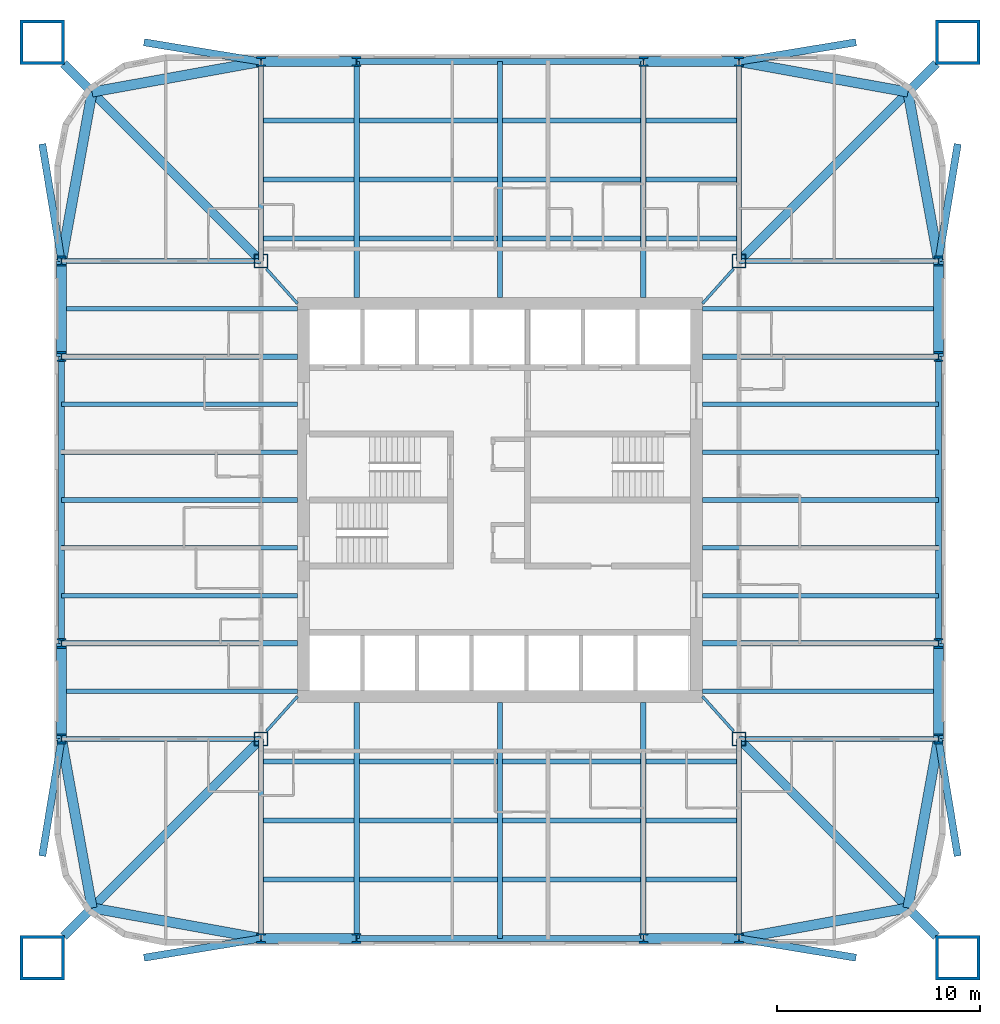
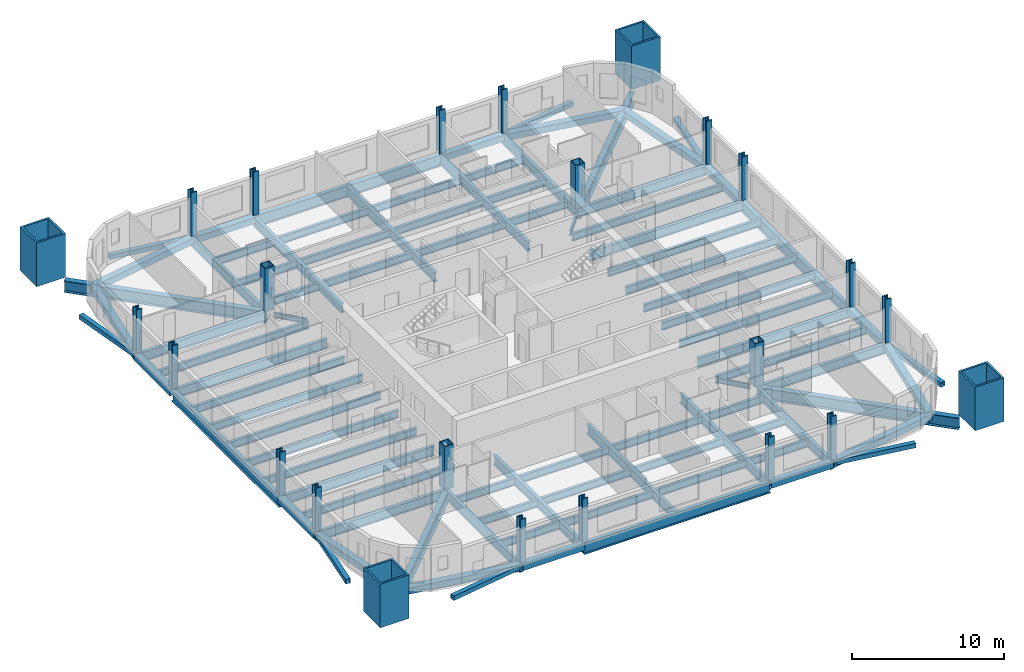
# One storey, part 1 of 10: 92 beams, 24 columns.
"""IFC4 building model written with IfcOpenShell, lengths in metres."""

from ifc_helpers import new_model, si_unit, direction, frame, origin, origin_2d, place, context, subcontext, project, spatial, hollow_rectangle, i_section, extrude, material, material_profile, profile_set, type_object, element, save


model = new_model("IFC4")

# Units and contexts
model_context = context("Model", 3, precision=1e-05, world=origin(), true_north=direction((0.0, 1.0)))
body_context = subcontext(model_context, "Body", "Model", "MODEL_VIEW")
ifc_project = project(units=[si_unit("LENGTHUNIT", "METRE"), si_unit("AREAUNIT", "SQUARE_METRE"), si_unit("VOLUMEUNIT", "CUBIC_METRE"), si_unit("PLANEANGLEUNIT", "RADIAN"), si_unit("MASSUNIT", "GRAM", prefix="KILO")], contexts=[model_context])

# Site, building, storey
site_placement = place(None, origin())
site = spatial("IfcSite", under=ifc_project, at=site_placement, CompositionType="ELEMENT")
building_placement = place(site_placement, origin())
building = spatial("IfcBuilding", under=site, at=building_placement, Name="Turquesa Mirador Hotel Tower", CompositionType="ELEMENT")
storey_placement = place(building_placement, frame((0.0, 0.0, 32.0)))
storey = spatial("IfcBuildingStorey", under=building, at=storey_placement, Name="L07", CompositionType="ELEMENT", Elevation=32.0)

# Columns
ifc_material_1 = material(Name="Steel ASTM A572 Grade 50", Category="steel")
ifc_material_profile_1 = material_profile(ifc_material_1, hollow_rectangle(XDim=0.699951171875, YDim=0.699951171875, WallThickness=0.06005859375, at=origin_2d()), Name="BOX700X700X60")
ifc_profile_set_1 = profile_set([ifc_material_profile_1], Name="Steel ASTM A572 Grade 50")
column_type_1 = type_object("IfcColumnType", Name="COLUMN BOX700X700X60", PredefinedType="COLUMN", material=ifc_profile_set_1)
for number, where, z_axis, x_axis, name in (
    (1, (43.199951171875, 33.199951171875, 0.0), (0.0, 0.0, 1.0), (1.0, 0.0, 0.0), "COL-L07-K--11.80--11.80"),
    (2, (43.199951171875, 56.800048828125, 0.0), (0.0, 0.0, 1.0), (1.0, 0.0, 0.0), "COL-L07-K--11.80-+11.80"),
    (3, (66.800048828125, 33.199951171875, 0.0), (0.0, 0.0, 1.0), (1.0, 0.0, 0.0), "COL-L07-K-+11.80--11.80"),
    (4, (66.800048828125, 56.800048828125, 0.0), (0.0, 0.0, 1.0), (1.0, 0.0, 0.0), "COL-L07-K-+11.80-+11.80"),
):
    element("IfcColumn", number, at=place(storey_placement, frame(where, z_axis=z_axis, x_axis=x_axis)), inside=storey, type_object=column_type_1, Name=name, PredefinedType="COLUMN", context=body_context, shape_type="SweptSolid", body=[
        extrude(hollow_rectangle(XDim=0.699951171875, YDim=0.699951171875, WallThickness=0.06005859375, at=origin_2d()), origin(), (0.0, 0.0, 1.0), 3.5),
    ])
ifc_material_2 = material(Name="Steel ASTM A992 Grade 50", Category="steel")
ifc_material_profile_2 = material_profile(ifc_material_2, i_section(OverallWidth=0.431884765625, OverallDepth=0.497802734375, WebThickness=0.0556640625, FlangeThickness=0.0888671875, at=origin_2d()), Name="W14X500")
ifc_profile_set_2 = profile_set([ifc_material_profile_2], Name="Steel ASTM A992 Grade 50")
column_type_2 = type_object("IfcColumnType", Name="COLUMN W14X500", PredefinedType="COLUMN", material=ifc_profile_set_2)
for number, where, z_axis, x_axis, name in (
    (5, (33.35009765625, 33.199951171875, 0.0), (0.0, 0.0, 1.0), (1.0, 0.0, 0.0), "COL-L07-P--21.65--11.80"),
    (6, (33.35009765625, 37.919921875, 0.0), (0.0, 0.0, 1.0), (1.0, 0.0, 0.0), "COL-L07-P--21.65--7.08"),
    (7, (33.35009765625, 52.080078125, 0.0), (0.0, 0.0, 1.0), (1.0, 0.0, 0.0), "COL-L07-P--21.65-+7.08"),
    (8, (33.35009765625, 56.800048828125, 0.0), (0.0, 0.0, 1.0), (1.0, 0.0, 0.0), "COL-L07-P--21.65-+11.80"),
    (9, (43.199951171875, 23.35009765625, 0.0), (0.0, 0.0, 1.0), (1.0, 0.0, 0.0), "COL-L07-P--11.80--21.65"),
    (10, (43.199951171875, 66.64990234375, 0.0), (0.0, 0.0, 1.0), (1.0, 0.0, 0.0), "COL-L07-P--11.80-+21.65"),
    (11, (47.919921875, 23.35009765625, 0.0), (0.0, 0.0, 1.0), (1.0, 0.0, 0.0), "COL-L07-P--7.08--21.65"),
    (12, (47.919921875, 66.64990234375, 0.0), (0.0, 0.0, 1.0), (1.0, 0.0, 0.0), "COL-L07-P--7.08-+21.65"),
    (13, (62.080078125, 23.35009765625, 0.0), (0.0, 0.0, 1.0), (1.0, 0.0, 0.0), "COL-L07-P-+7.08--21.65"),
    (14, (62.080078125, 66.64990234375, 0.0), (0.0, 0.0, 1.0), (1.0, 0.0, 0.0), "COL-L07-P-+7.08-+21.65"),
    (15, (66.800048828125, 23.35009765625, 0.0), (0.0, 0.0, 1.0), (1.0, 0.0, 0.0), "COL-L07-P-+11.80--21.65"),
    (16, (66.800048828125, 66.64990234375, 0.0), (0.0, 0.0, 1.0), (1.0, 0.0, 0.0), "COL-L07-P-+11.80-+21.65"),
    (17, (76.64990234375, 33.199951171875, 0.0), (0.0, 0.0, 1.0), (1.0, 0.0, 0.0), "COL-L07-P-+21.65--11.80"),
    (18, (76.64990234375, 37.919921875, 0.0), (0.0, 0.0, 1.0), (1.0, 0.0, 0.0), "COL-L07-P-+21.65--7.08"),
    (19, (76.64990234375, 52.080078125, 0.0), (0.0, 0.0, 1.0), (1.0, 0.0, 0.0), "COL-L07-P-+21.65-+7.08"),
    (20, (76.64990234375, 56.800048828125, 0.0), (0.0, 0.0, 1.0), (1.0, 0.0, 0.0), "COL-L07-P-+21.65-+11.80"),
):
    element("IfcColumn", number, at=place(storey_placement, frame(where, z_axis=z_axis, x_axis=x_axis)), inside=storey, type_object=column_type_2, Name=name, PredefinedType="COLUMN", context=body_context, shape_type="SweptSolid", body=[
        extrude(i_section(OverallWidth=0.431884765625, OverallDepth=0.497802734375, WebThickness=0.0556640625, FlangeThickness=0.0888671875, at=origin_2d()), origin(), (0.0, 0.0, 1.0), 3.5),
    ])
ifc_material_3 = material(Name="Steel ASTM A514 Grade Q", Category="steel")
ifc_material_profile_3 = material_profile(ifc_material_3, hollow_rectangle(XDim=2.199951171875, YDim=2.199951171875, WallThickness=0.14990234375, at=origin_2d()), Name="BOX2200X2200X150")
ifc_profile_set_3 = profile_set([ifc_material_profile_3], Name="Steel ASTM A514 Grade Q")
column_type_3 = type_object("IfcColumnType", Name="MEGA COLUMN BOX2200X2200X150", PredefinedType="COLUMN", material=ifc_profile_set_3)
for number, where, z_axis, x_axis, name in (
    (21, (77.60009765625, 67.60009765625, 0.0), (0.0, 0.0, 1.0), (1.0, 0.0, 0.0), "Mega column M1"),
    (22, (32.39990234375, 67.60009765625, 0.0), (0.0, 0.0, 1.0), (1.0, 0.0, 0.0), "Mega column M2"),
    (23, (32.39990234375, 22.39990234375, 0.0), (0.0, 0.0, 1.0), (1.0, 0.0, 0.0), "Mega column M3"),
    (24, (77.60009765625, 22.39990234375, 0.0), (0.0, 0.0, 1.0), (1.0, 0.0, 0.0), "Mega column M4"),
):
    element("IfcColumn", number, at=place(storey_placement, frame(where, z_axis=z_axis, x_axis=x_axis)), inside=storey, type_object=column_type_3, Name=name, PredefinedType="COLUMN", context=body_context, shape_type="SweptSolid", body=[
        extrude(hollow_rectangle(XDim=2.199951171875, YDim=2.199951171875, WallThickness=0.14990234375, at=origin_2d()), origin(), (0.0, 0.0, 1.0), 3.5),
    ])

# Beams
ifc_material_4 = material(Name="Steel ASTM A572 Grade 50", Category="steel")
ifc_material_profile_4 = material_profile(ifc_material_4, hollow_rectangle(XDim=0.5, YDim=0.5, WallThickness=0.01611328125, at=origin_2d()), Name="BOX500X500X16")
ifc_profile_set_4 = profile_set([ifc_material_profile_4], Name="Steel ASTM A572 Grade 50")
beam_type_1 = type_object("IfcBeamType", Name="BEAM BOX500X500X16", PredefinedType="BEAM", material=ifc_profile_set_4)
for number, where, z_axis, x_axis, name in (
    (25, (43.199951171875, 66.64990234375, -0.419921875), (1.0, 0.0, 0.0), (0.0, 1.0, 0.0), "EB-L07-N-L"),
    (26, (62.080078125, 66.64990234375, -0.419921875), (1.0, 0.0, 0.0), (0.0, 1.0, 0.0), "EB-L07-N-R"),
    (27, (43.199951171875, 23.35009765625, -0.419921875), (1.0, 0.0, 0.0), (0.0, 1.0, 0.0), "EB-L07-S-L"),
    (28, (62.080078125, 23.35009765625, -0.419921875), (1.0, 0.0, 0.0), (0.0, 1.0, 0.0), "EB-L07-S-R"),
    (29, (76.64990234375, 33.199951171875, -0.419921875), (0.0, 1.0, 0.0), (-1.0, 0.0, 0.0), "EB-L07-E-L"),
    (30, (76.64990234375, 52.080078125, -0.419921875), (0.0, 1.0, 0.0), (-1.0, 0.0, 0.0), "EB-L07-E-R"),
    (31, (33.35009765625, 33.199951171875, -0.419921875), (0.0, 1.0, 0.0), (-1.0, 0.0, 0.0), "EB-L07-W-L"),
    (32, (33.35009765625, 52.080078125, -0.419921875), (0.0, 1.0, 0.0), (-1.0, 0.0, 0.0), "EB-L07-W-R"),
):
    element("IfcBeam", number, at=place(storey_placement, frame(where, z_axis=z_axis, x_axis=x_axis)), inside=storey, type_object=beam_type_1, Name=name, PredefinedType="BEAM", context=body_context, shape_type="SweptSolid", body=[
        extrude(hollow_rectangle(XDim=0.5, YDim=0.5, WallThickness=0.01611328125, at=origin_2d()), origin(), (0.0, 0.0, 1.0), 4.719970703125),
    ])
for number, where, z_axis, x_axis, name in (
    (33, (76.64990234375, 56.800048828125, -0.419921875), (-0.177932387818, 0.984042715214, 0.0), (-0.984042715214, -0.177932387818, 0.0), "KE-L07-1-0"),
    (34, (75.1416015625, 65.1416015625, -0.419921875), (-0.984042715214, 0.177932387818, 0.0), (-0.177932387818, -0.984042715214, 0.0), "KE-L07-1-1"),
    (35, (33.35009765625, 56.800048828125, -0.419921875), (0.177932387818, 0.984042715214, 0.0), (-0.984042715214, 0.177932387818, 0.0), "KE-L07-2-0"),
    (36, (34.8583984375, 65.1416015625, -0.419921875), (0.984042715214, 0.177932387818, 0.0), (-0.177932387818, 0.984042715214, 0.0), "KE-L07-2-1"),
    (37, (33.35009765625, 33.199951171875, -0.419921875), (0.177932387818, -0.984042715214, 0.0), (0.984042715214, 0.177932387818, 0.0), "KE-L07-3-0"),
    (38, (34.8583984375, 24.8583984375, -0.419921875), (0.984042715214, -0.177932387818, 0.0), (0.177932387818, 0.984042715214, 0.0), "KE-L07-3-1"),
    (39, (76.64990234375, 33.199951171875, -0.419921875), (-0.177932387818, -0.984042715214, 0.0), (0.984042715214, -0.177932387818, 0.0), "KE-L07-4-0"),
    (40, (75.1416015625, 24.8583984375, -0.419921875), (-0.984042715214, -0.177932387818, 0.0), (0.177932387818, -0.984042715214, 0.0), "KE-L07-4-1"),
):
    element("IfcBeam", number, at=place(storey_placement, frame(where, z_axis=z_axis, x_axis=x_axis)), inside=storey, type_object=beam_type_1, Name=name, PredefinedType="BEAM", context=body_context, shape_type="SweptSolid", body=[
        extrude(hollow_rectangle(XDim=0.5, YDim=0.5, WallThickness=0.01611328125, at=origin_2d()), origin(), (0.0, 0.0, 1.0), 8.476806640625),
    ])
ifc_material_5 = material(Name="Steel ASTM A992 Grade 50", Category="steel")
ifc_material_profile_5 = material_profile(ifc_material_5, i_section(OverallWidth=0.140380859375, OverallDepth=0.40380859375, WebThickness=0.007080078125, FlangeThickness=0.01123046875, at=origin_2d()), Name="W16X31")
ifc_profile_set_5 = profile_set([ifc_material_profile_5], Name="Steel ASTM A992 Grade 50")
beam_type_2 = type_object("IfcBeamType", Name="BEAM W16X31", PredefinedType="BEAM", material=ifc_profile_set_5)
for number, where, z_axis, x_axis, name in (
    (41, (66.529541015625, 56.40966796875, -0.371826171875), (-0.666745084392, -0.745285846129, 0.0), (0.745285846129, -0.666745084392, 0.0), "KT-L07-1"),
    (42, (43.470458984375, 56.40966796875, -0.371826171875), (0.666745084392, -0.745285846129, 0.0), (0.745285846129, 0.666745084392, 0.0), "KT-L07-2"),
    (43, (43.470458984375, 33.59033203125, -0.371826171875), (0.666745084392, 0.745285846129, 0.0), (-0.745285846129, 0.666745084392, 0.0), "KT-L07-3"),
    (44, (66.529541015625, 33.59033203125, -0.371826171875), (-0.666745084392, 0.745285846129, 0.0), (-0.745285846129, -0.666745084392, 0.0), "KT-L07-4"),
):
    element("IfcBeam", number, at=place(storey_placement, frame(where, z_axis=z_axis, x_axis=x_axis)), inside=storey, type_object=beam_type_2, Name=name, PredefinedType="BEAM", context=body_context, shape_type="SweptSolid", body=[
        extrude(i_section(OverallWidth=0.140380859375, OverallDepth=0.40380859375, WebThickness=0.007080078125, FlangeThickness=0.01123046875, at=origin_2d()), origin(), (0.0, 0.0, 1.0), 2.2939453125),
    ])
ifc_material_6 = material(Name="Steel ASTM A992 Grade 50", Category="steel")
ifc_material_profile_6 = material_profile(ifc_material_6, i_section(OverallWidth=0.228271484375, OverallDepth=0.607177734375, WebThickness=0.01123046875, FlangeThickness=0.017333984375, at=origin_2d()), Name="W24X76")
ifc_profile_set_6 = profile_set([ifc_material_profile_6], Name="Steel ASTM A992 Grade 50")
beam_type_3 = type_object("IfcBeamType", Name="BEAM W24X76", PredefinedType="BEAM", material=ifc_profile_set_6)
beam_1_placement = place(storey_placement, frame((43.333251953125, 57.912109375, -0.4736328125), z_axis=(1.0, 0.0, 0.0), x_axis=(0.0, 1.0, 0.0)))
element("IfcBeam", 45, at=beam_1_placement, inside=storey, type_object=beam_type_3, Name="IB-L07-N-1-0", PredefinedType="BEAM", context=body_context, shape_type="SweptSolid", body=[
    extrude(i_section(OverallWidth=0.228271484375, OverallDepth=0.607177734375, WebThickness=0.01123046875, FlangeThickness=0.017333984375, at=origin_2d()), origin(), (0.0, 0.0, 1.0), 4.453369140625),
])
for number, where, z_axis, x_axis, name in (
    (46, (48.053466796875, 57.912109375, -0.4736328125), (1.0, 0.0, 0.0), (0.0, 1.0, 0.0), "IB-L07-N-1-1"),
    (47, (55.13330078125, 57.912109375, -0.4736328125), (1.0, 0.0, 0.0), (0.0, 1.0, 0.0), "IB-L07-N-1-2"),
):
    element("IfcBeam", number, at=place(storey_placement, frame(where, z_axis=z_axis, x_axis=x_axis)), inside=storey, type_object=beam_type_3, Name=name, PredefinedType="BEAM", context=body_context, shape_type="SweptSolid", body=[
        extrude(i_section(OverallWidth=0.228271484375, OverallDepth=0.607177734375, WebThickness=0.01123046875, FlangeThickness=0.017333984375, at=origin_2d()), origin(), (0.0, 0.0, 1.0), 6.813232421875),
    ])
for number, where, z_axis, x_axis, name in (
    (48, (62.21337890625, 57.912109375, -0.4736328125), (1.0, 0.0, 0.0), (0.0, 1.0, 0.0), "IB-L07-N-1-3"),
    (49, (43.333251953125, 60.824951171875, -0.4736328125), (1.0, 0.0, 0.0), (0.0, 1.0, 0.0), "IB-L07-N-2-0"),
):
    element("IfcBeam", number, at=place(storey_placement, frame(where, z_axis=z_axis, x_axis=x_axis)), inside=storey, type_object=beam_type_3, Name=name, PredefinedType="BEAM", context=body_context, shape_type="SweptSolid", body=[
        extrude(i_section(OverallWidth=0.228271484375, OverallDepth=0.607177734375, WebThickness=0.01123046875, FlangeThickness=0.017333984375, at=origin_2d()), origin(), (0.0, 0.0, 1.0), 4.453369140625),
    ])
for number, where, z_axis, x_axis, name in (
    (50, (48.053466796875, 60.824951171875, -0.4736328125), (1.0, 0.0, 0.0), (0.0, 1.0, 0.0), "IB-L07-N-2-1"),
    (51, (55.13330078125, 60.824951171875, -0.4736328125), (1.0, 0.0, 0.0), (0.0, 1.0, 0.0), "IB-L07-N-2-2"),
):
    element("IfcBeam", number, at=place(storey_placement, frame(where, z_axis=z_axis, x_axis=x_axis)), inside=storey, type_object=beam_type_3, Name=name, PredefinedType="BEAM", context=body_context, shape_type="SweptSolid", body=[
        extrude(i_section(OverallWidth=0.228271484375, OverallDepth=0.607177734375, WebThickness=0.01123046875, FlangeThickness=0.017333984375, at=origin_2d()), origin(), (0.0, 0.0, 1.0), 6.813232421875),
    ])
for number, where, z_axis, x_axis, name in (
    (52, (62.21337890625, 60.824951171875, -0.4736328125), (1.0, 0.0, 0.0), (0.0, 1.0, 0.0), "IB-L07-N-2-3"),
    (53, (43.333251953125, 63.737060546875, -0.4736328125), (1.0, 0.0, 0.0), (0.0, 1.0, 0.0), "IB-L07-N-3-0"),
):
    element("IfcBeam", number, at=place(storey_placement, frame(where, z_axis=z_axis, x_axis=x_axis)), inside=storey, type_object=beam_type_3, Name=name, PredefinedType="BEAM", context=body_context, shape_type="SweptSolid", body=[
        extrude(i_section(OverallWidth=0.228271484375, OverallDepth=0.607177734375, WebThickness=0.01123046875, FlangeThickness=0.017333984375, at=origin_2d()), origin(), (0.0, 0.0, 1.0), 4.453369140625),
    ])
for number, where, z_axis, x_axis, name in (
    (54, (48.053466796875, 63.737060546875, -0.4736328125), (1.0, 0.0, 0.0), (0.0, 1.0, 0.0), "IB-L07-N-3-1"),
    (55, (55.13330078125, 63.737060546875, -0.4736328125), (1.0, 0.0, 0.0), (0.0, 1.0, 0.0), "IB-L07-N-3-2"),
):
    element("IfcBeam", number, at=place(storey_placement, frame(where, z_axis=z_axis, x_axis=x_axis)), inside=storey, type_object=beam_type_3, Name=name, PredefinedType="BEAM", context=body_context, shape_type="SweptSolid", body=[
        extrude(i_section(OverallWidth=0.228271484375, OverallDepth=0.607177734375, WebThickness=0.01123046875, FlangeThickness=0.017333984375, at=origin_2d()), origin(), (0.0, 0.0, 1.0), 6.813232421875),
    ])
for number, where, z_axis, x_axis, name in (
    (56, (62.21337890625, 63.737060546875, -0.4736328125), (1.0, 0.0, 0.0), (0.0, 1.0, 0.0), "IB-L07-N-3-3"),
    (57, (43.333251953125, 32.087890625, -0.4736328125), (1.0, 0.0, 0.0), (0.0, 1.0, 0.0), "IB-L07-S-1-0"),
):
    element("IfcBeam", number, at=place(storey_placement, frame(where, z_axis=z_axis, x_axis=x_axis)), inside=storey, type_object=beam_type_3, Name=name, PredefinedType="BEAM", context=body_context, shape_type="SweptSolid", body=[
        extrude(i_section(OverallWidth=0.228271484375, OverallDepth=0.607177734375, WebThickness=0.01123046875, FlangeThickness=0.017333984375, at=origin_2d()), origin(), (0.0, 0.0, 1.0), 4.453369140625),
    ])
for number, where, z_axis, x_axis, name in (
    (58, (48.053466796875, 32.087890625, -0.4736328125), (1.0, 0.0, 0.0), (0.0, 1.0, 0.0), "IB-L07-S-1-1"),
    (59, (55.13330078125, 32.087890625, -0.4736328125), (1.0, 0.0, 0.0), (0.0, 1.0, 0.0), "IB-L07-S-1-2"),
):
    element("IfcBeam", number, at=place(storey_placement, frame(where, z_axis=z_axis, x_axis=x_axis)), inside=storey, type_object=beam_type_3, Name=name, PredefinedType="BEAM", context=body_context, shape_type="SweptSolid", body=[
        extrude(i_section(OverallWidth=0.228271484375, OverallDepth=0.607177734375, WebThickness=0.01123046875, FlangeThickness=0.017333984375, at=origin_2d()), origin(), (0.0, 0.0, 1.0), 6.813232421875),
    ])
for number, where, z_axis, x_axis, name in (
    (60, (62.21337890625, 32.087890625, -0.4736328125), (1.0, 0.0, 0.0), (0.0, 1.0, 0.0), "IB-L07-S-1-3"),
    (61, (43.333251953125, 29.175048828125, -0.4736328125), (1.0, 0.0, 0.0), (0.0, 1.0, 0.0), "IB-L07-S-2-0"),
):
    element("IfcBeam", number, at=place(storey_placement, frame(where, z_axis=z_axis, x_axis=x_axis)), inside=storey, type_object=beam_type_3, Name=name, PredefinedType="BEAM", context=body_context, shape_type="SweptSolid", body=[
        extrude(i_section(OverallWidth=0.228271484375, OverallDepth=0.607177734375, WebThickness=0.01123046875, FlangeThickness=0.017333984375, at=origin_2d()), origin(), (0.0, 0.0, 1.0), 4.453369140625),
    ])
for number, where, z_axis, x_axis, name in (
    (62, (48.053466796875, 29.175048828125, -0.4736328125), (1.0, 0.0, 0.0), (0.0, 1.0, 0.0), "IB-L07-S-2-1"),
    (63, (55.13330078125, 29.175048828125, -0.4736328125), (1.0, 0.0, 0.0), (0.0, 1.0, 0.0), "IB-L07-S-2-2"),
):
    element("IfcBeam", number, at=place(storey_placement, frame(where, z_axis=z_axis, x_axis=x_axis)), inside=storey, type_object=beam_type_3, Name=name, PredefinedType="BEAM", context=body_context, shape_type="SweptSolid", body=[
        extrude(i_section(OverallWidth=0.228271484375, OverallDepth=0.607177734375, WebThickness=0.01123046875, FlangeThickness=0.017333984375, at=origin_2d()), origin(), (0.0, 0.0, 1.0), 6.813232421875),
    ])
for number, where, z_axis, x_axis, name in (
    (64, (62.21337890625, 29.175048828125, -0.4736328125), (1.0, 0.0, 0.0), (0.0, 1.0, 0.0), "IB-L07-S-2-3"),
    (65, (43.333251953125, 26.262939453125, -0.4736328125), (1.0, 0.0, 0.0), (0.0, 1.0, 0.0), "IB-L07-S-3-0"),
):
    element("IfcBeam", number, at=place(storey_placement, frame(where, z_axis=z_axis, x_axis=x_axis)), inside=storey, type_object=beam_type_3, Name=name, PredefinedType="BEAM", context=body_context, shape_type="SweptSolid", body=[
        extrude(i_section(OverallWidth=0.228271484375, OverallDepth=0.607177734375, WebThickness=0.01123046875, FlangeThickness=0.017333984375, at=origin_2d()), origin(), (0.0, 0.0, 1.0), 4.453369140625),
    ])
for number, where, z_axis, x_axis, name in (
    (66, (48.053466796875, 26.262939453125, -0.4736328125), (1.0, 0.0, 0.0), (0.0, 1.0, 0.0), "IB-L07-S-3-1"),
    (67, (55.13330078125, 26.262939453125, -0.4736328125), (1.0, 0.0, 0.0), (0.0, 1.0, 0.0), "IB-L07-S-3-2"),
):
    element("IfcBeam", number, at=place(storey_placement, frame(where, z_axis=z_axis, x_axis=x_axis)), inside=storey, type_object=beam_type_3, Name=name, PredefinedType="BEAM", context=body_context, shape_type="SweptSolid", body=[
        extrude(i_section(OverallWidth=0.228271484375, OverallDepth=0.607177734375, WebThickness=0.01123046875, FlangeThickness=0.017333984375, at=origin_2d()), origin(), (0.0, 0.0, 1.0), 6.813232421875),
    ])
beam_2_placement = place(storey_placement, frame((62.21337890625, 26.262939453125, -0.4736328125), z_axis=(1.0, 0.0, 0.0), x_axis=(0.0, 1.0, 0.0)))
element("IfcBeam", 68, at=beam_2_placement, inside=storey, type_object=beam_type_3, Name="IB-L07-S-3-3", PredefinedType="BEAM", context=body_context, shape_type="SweptSolid", body=[
    extrude(i_section(OverallWidth=0.228271484375, OverallDepth=0.607177734375, WebThickness=0.01123046875, FlangeThickness=0.017333984375, at=origin_2d()), origin(), (0.0, 0.0, 1.0), 4.453369140625),
])
for number, where, z_axis, x_axis, name in (
    (69, (76.64990234375, 35.56005859375, -0.4736328125), (-1.0, 0.0, 0.0), (0.0, -1.0, 0.0), "BM-L07-E--9.44"),
    (70, (76.64990234375, 40.280029296875, -0.4736328125), (-1.0, 0.0, 0.0), (0.0, -1.0, 0.0), "BM-L07-E--4.72"),
    (71, (76.64990234375, 42.639892578125, -0.4736328125), (-1.0, 0.0, 0.0), (0.0, -1.0, 0.0), "BM-L07-E--2.36"),
    (72, (76.64990234375, 45.0, -0.4736328125), (-1.0, 0.0, 0.0), (0.0, -1.0, 0.0), "BM-L07-E-+0.00"),
    (73, (76.64990234375, 47.360107421875, -0.4736328125), (-1.0, 0.0, 0.0), (0.0, -1.0, 0.0), "BM-L07-E-+2.36"),
    (74, (76.64990234375, 49.719970703125, -0.4736328125), (-1.0, 0.0, 0.0), (0.0, -1.0, 0.0), "BM-L07-E-+4.72"),
    (75, (76.64990234375, 54.43994140625, -0.4736328125), (-1.0, 0.0, 0.0), (0.0, -1.0, 0.0), "BM-L07-E-+9.44"),
    (76, (33.35009765625, 35.56005859375, -0.4736328125), (1.0, 0.0, 0.0), (0.0, 1.0, 0.0), "BM-L07-W--9.44"),
    (77, (33.35009765625, 40.280029296875, -0.4736328125), (1.0, 0.0, 0.0), (0.0, 1.0, 0.0), "BM-L07-W--4.72"),
    (78, (33.35009765625, 42.639892578125, -0.4736328125), (1.0, 0.0, 0.0), (0.0, 1.0, 0.0), "BM-L07-W--2.36"),
    (79, (33.35009765625, 45.0, -0.4736328125), (1.0, 0.0, 0.0), (0.0, 1.0, 0.0), "BM-L07-W-+0.00"),
    (80, (33.35009765625, 47.360107421875, -0.4736328125), (1.0, 0.0, 0.0), (0.0, 1.0, 0.0), "BM-L07-W-+2.36"),
    (81, (33.35009765625, 49.719970703125, -0.4736328125), (1.0, 0.0, 0.0), (0.0, 1.0, 0.0), "BM-L07-W-+4.72"),
    (82, (33.35009765625, 54.43994140625, -0.4736328125), (1.0, 0.0, 0.0), (0.0, 1.0, 0.0), "BM-L07-W-+9.44"),
):
    element("IfcBeam", number, at=place(storey_placement, frame(where, z_axis=z_axis, x_axis=x_axis)), inside=storey, type_object=beam_type_3, Name=name, PredefinedType="BEAM", context=body_context, shape_type="SweptSolid", body=[
        extrude(i_section(OverallWidth=0.228271484375, OverallDepth=0.607177734375, WebThickness=0.01123046875, FlangeThickness=0.017333984375, at=origin_2d()), origin(), (0.0, 0.0, 1.0), 11.64990234375),
    ])
ifc_material_7 = material(Name="Steel ASTM A992 Grade 50", Category="steel")
ifc_material_profile_7 = material_profile(ifc_material_7, i_section(OverallWidth=0.2666015625, OverallDepth=0.7568359375, WebThickness=0.013916015625, FlangeThickness=0.019287109375, at=origin_2d()), Name="W30X108")
ifc_profile_set_7 = profile_set([ifc_material_profile_7], Name="Steel ASTM A992 Grade 50")
beam_type_4 = type_object("IfcBeamType", Name="BEAM W30X108", PredefinedType="BEAM", material=ifc_profile_set_7)
for number, where, z_axis, x_axis, name in (
    (83, (47.919921875, 66.64990234375, -0.54833984375), (0.0, -1.0, 0.0), (1.0, 0.0, 0.0), "GD-L07-N--7.08"),
    (84, (62.080078125, 66.64990234375, -0.54833984375), (0.0, -1.0, 0.0), (1.0, 0.0, 0.0), "GD-L07-N-+7.08"),
    (85, (55.0, 66.64990234375, -0.54833984375), (0.0, -1.0, 0.0), (1.0, 0.0, 0.0), "GD-L07-N-+0.00"),
):
    element("IfcBeam", number, at=place(storey_placement, frame(where, z_axis=z_axis, x_axis=x_axis)), inside=storey, type_object=beam_type_4, Name=name, PredefinedType="BEAM", context=body_context, shape_type="SweptSolid", body=[
        extrude(i_section(OverallWidth=0.2666015625, OverallDepth=0.7568359375, WebThickness=0.013916015625, FlangeThickness=0.019287109375, at=origin_2d()), origin(), (0.0, 0.0, 1.0), 11.64990234375),
    ])
for number, where, z_axis, x_axis, name in (
    (86, (43.199951171875, 66.64990234375, -0.54833984375), (0.0, -1.0, 0.0), (1.0, 0.0, 0.0), "GK-L07-N--11.80"),
    (87, (66.800048828125, 66.64990234375, -0.54833984375), (0.0, -1.0, 0.0), (1.0, 0.0, 0.0), "GK-L07-N-+11.80"),
):
    element("IfcBeam", number, at=place(storey_placement, frame(where, z_axis=z_axis, x_axis=x_axis)), inside=storey, type_object=beam_type_4, Name=name, PredefinedType="BEAM", context=body_context, shape_type="SweptSolid", body=[
        extrude(i_section(OverallWidth=0.2666015625, OverallDepth=0.7568359375, WebThickness=0.013916015625, FlangeThickness=0.019287109375, at=origin_2d()), origin(), (0.0, 0.0, 1.0), 9.849853515625),
    ])
for number, where, z_axis, x_axis, name in (
    (88, (47.919921875, 23.35009765625, -0.54833984375), (0.0, 1.0, 0.0), (-1.0, 0.0, 0.0), "GD-L07-S--7.08"),
    (89, (62.080078125, 23.35009765625, -0.54833984375), (0.0, 1.0, 0.0), (-1.0, 0.0, 0.0), "GD-L07-S-+7.08"),
    (90, (55.0, 23.35009765625, -0.54833984375), (0.0, 1.0, 0.0), (-1.0, 0.0, 0.0), "GD-L07-S-+0.00"),
):
    element("IfcBeam", number, at=place(storey_placement, frame(where, z_axis=z_axis, x_axis=x_axis)), inside=storey, type_object=beam_type_4, Name=name, PredefinedType="BEAM", context=body_context, shape_type="SweptSolid", body=[
        extrude(i_section(OverallWidth=0.2666015625, OverallDepth=0.7568359375, WebThickness=0.013916015625, FlangeThickness=0.019287109375, at=origin_2d()), origin(), (0.0, 0.0, 1.0), 11.64990234375),
    ])
for number, where, z_axis, x_axis, name in (
    (91, (43.199951171875, 23.35009765625, -0.54833984375), (0.0, 1.0, 0.0), (-1.0, 0.0, 0.0), "GK-L07-S--11.80"),
    (92, (66.800048828125, 23.35009765625, -0.54833984375), (0.0, 1.0, 0.0), (-1.0, 0.0, 0.0), "GK-L07-S-+11.80"),
):
    element("IfcBeam", number, at=place(storey_placement, frame(where, z_axis=z_axis, x_axis=x_axis)), inside=storey, type_object=beam_type_4, Name=name, PredefinedType="BEAM", context=body_context, shape_type="SweptSolid", body=[
        extrude(i_section(OverallWidth=0.2666015625, OverallDepth=0.7568359375, WebThickness=0.013916015625, FlangeThickness=0.019287109375, at=origin_2d()), origin(), (0.0, 0.0, 1.0), 9.849853515625),
    ])
for number, where, z_axis, x_axis, name in (
    (93, (76.64990234375, 37.919921875, -0.54833984375), (-1.0, 0.0, 0.0), (0.0, -1.0, 0.0), "GD-L07-E--7.08"),
    (94, (76.64990234375, 52.080078125, -0.54833984375), (-1.0, 0.0, 0.0), (0.0, -1.0, 0.0), "GD-L07-E-+7.08"),
):
    element("IfcBeam", number, at=place(storey_placement, frame(where, z_axis=z_axis, x_axis=x_axis)), inside=storey, type_object=beam_type_4, Name=name, PredefinedType="BEAM", context=body_context, shape_type="SweptSolid", body=[
        extrude(i_section(OverallWidth=0.2666015625, OverallDepth=0.7568359375, WebThickness=0.013916015625, FlangeThickness=0.019287109375, at=origin_2d()), origin(), (0.0, 0.0, 1.0), 11.64990234375),
    ])
for number, where, z_axis, x_axis, name in (
    (95, (76.64990234375, 33.199951171875, -0.54833984375), (-1.0, 0.0, 0.0), (0.0, -1.0, 0.0), "GK-L07-E--11.80"),
    (96, (76.64990234375, 56.800048828125, -0.54833984375), (-1.0, 0.0, 0.0), (0.0, -1.0, 0.0), "GK-L07-E-+11.80"),
):
    element("IfcBeam", number, at=place(storey_placement, frame(where, z_axis=z_axis, x_axis=x_axis)), inside=storey, type_object=beam_type_4, Name=name, PredefinedType="BEAM", context=body_context, shape_type="SweptSolid", body=[
        extrude(i_section(OverallWidth=0.2666015625, OverallDepth=0.7568359375, WebThickness=0.013916015625, FlangeThickness=0.019287109375, at=origin_2d()), origin(), (0.0, 0.0, 1.0), 9.849853515625),
    ])
for number, where, z_axis, x_axis, name in (
    (97, (33.35009765625, 37.919921875, -0.54833984375), (1.0, 0.0, 0.0), (0.0, 1.0, 0.0), "GD-L07-W--7.08"),
    (98, (33.35009765625, 52.080078125, -0.54833984375), (1.0, 0.0, 0.0), (0.0, 1.0, 0.0), "GD-L07-W-+7.08"),
):
    element("IfcBeam", number, at=place(storey_placement, frame(where, z_axis=z_axis, x_axis=x_axis)), inside=storey, type_object=beam_type_4, Name=name, PredefinedType="BEAM", context=body_context, shape_type="SweptSolid", body=[
        extrude(i_section(OverallWidth=0.2666015625, OverallDepth=0.7568359375, WebThickness=0.013916015625, FlangeThickness=0.019287109375, at=origin_2d()), origin(), (0.0, 0.0, 1.0), 11.64990234375),
    ])
for number, where, z_axis, x_axis, name in (
    (99, (33.35009765625, 33.199951171875, -0.54833984375), (1.0, 0.0, 0.0), (0.0, 1.0, 0.0), "GK-L07-W--11.80"),
    (100, (33.35009765625, 56.800048828125, -0.54833984375), (1.0, 0.0, 0.0), (0.0, 1.0, 0.0), "GK-L07-W-+11.80"),
):
    element("IfcBeam", number, at=place(storey_placement, frame(where, z_axis=z_axis, x_axis=x_axis)), inside=storey, type_object=beam_type_4, Name=name, PredefinedType="BEAM", context=body_context, shape_type="SweptSolid", body=[
        extrude(i_section(OverallWidth=0.2666015625, OverallDepth=0.7568359375, WebThickness=0.013916015625, FlangeThickness=0.019287109375, at=origin_2d()), origin(), (0.0, 0.0, 1.0), 9.849853515625),
    ])
ifc_material_8 = material(Name="Steel ASTM A992 Grade 50", Category="steel")
ifc_material_profile_8 = material_profile(ifc_material_8, i_section(OverallWidth=0.3046875, OverallDepth=0.911865234375, WebThickness=0.015869140625, FlangeThickness=0.02392578125, at=origin_2d()), Name="W36X150")
ifc_profile_set_8 = profile_set([ifc_material_profile_8], Name="Steel ASTM A992 Grade 50")
beam_type_5 = type_object("IfcBeamType", Name="BEAM W36X150", PredefinedType="BEAM", material=ifc_profile_set_8)
for number, where, z_axis, x_axis, name in (
    (101, (47.919921875, 66.64990234375, -0.6259765625), (1.0, 0.0, 0.0), (0.0, 1.0, 0.0), "EB-L07-N-C"),
    (102, (47.919921875, 23.35009765625, -0.6259765625), (1.0, 0.0, 0.0), (0.0, 1.0, 0.0), "EB-L07-S-C"),
    (103, (76.64990234375, 37.919921875, -0.6259765625), (0.0, 1.0, 0.0), (-1.0, 0.0, 0.0), "EB-L07-E-C"),
    (104, (33.35009765625, 37.919921875, -0.6259765625), (0.0, 1.0, 0.0), (-1.0, 0.0, 0.0), "EB-L07-W-C"),
):
    element("IfcBeam", number, at=place(storey_placement, frame(where, z_axis=z_axis, x_axis=x_axis)), inside=storey, type_object=beam_type_5, Name=name, PredefinedType="BEAM", context=body_context, shape_type="SweptSolid", body=[
        extrude(i_section(OverallWidth=0.3046875, OverallDepth=0.911865234375, WebThickness=0.015869140625, FlangeThickness=0.02392578125, at=origin_2d()), origin(), (0.0, 0.0, 1.0), 14.16015625),
    ])
ifc_material_9 = material(Name="Steel ASTM A992 Grade 50", Category="steel")
ifc_material_profile_9 = material_profile(ifc_material_9, i_section(OverallWidth=0.419189453125, OverallDepth=0.927001953125, WebThickness=0.019287109375, FlangeThickness=0.031982421875, at=origin_2d()), Name="W36X231")
ifc_profile_set_9 = profile_set([ifc_material_profile_9], Name="Steel ASTM A992 Grade 50")
beam_type_6 = type_object("IfcBeamType", Name="BEAM W36X231", PredefinedType="BEAM", material=ifc_profile_set_9)
for number, where, z_axis, x_axis, name in (
    (105, (66.800048828125, 56.800048828125, -0.633544921875), (0.707106781187, 0.707106781187, 0.0), (-0.707106781187, 0.707106781187, 0.0), "KD-L07-1"),
    (106, (43.199951171875, 56.800048828125, -0.633544921875), (-0.707106781187, 0.707106781187, 0.0), (-0.707106781187, -0.707106781187, 0.0), "KD-L07-2"),
    (107, (43.199951171875, 33.199951171875, -0.633544921875), (-0.707106781187, -0.707106781187, 0.0), (0.707106781187, -0.707106781187, 0.0), "KD-L07-3"),
    (108, (66.800048828125, 33.199951171875, -0.633544921875), (0.707106781187, -0.707106781187, 0.0), (0.707106781187, 0.707106781187, 0.0), "KD-L07-4"),
):
    element("IfcBeam", number, at=place(storey_placement, frame(where, z_axis=z_axis, x_axis=x_axis)), inside=storey, type_object=beam_type_6, Name=name, PredefinedType="BEAM", context=body_context, shape_type="SweptSolid", body=[
        extrude(i_section(OverallWidth=0.419189453125, OverallDepth=0.927001953125, WebThickness=0.019287109375, FlangeThickness=0.031982421875, at=origin_2d()), origin(), (0.0, 0.0, 1.0), 13.78857421875),
    ])
ifc_material_10 = material(Name="Steel ASTM A500 Grade C", Category="steel")
ifc_material_profile_10 = material_profile(ifc_material_10, hollow_rectangle(XDim=0.355712890625, YDim=0.355712890625, WallThickness=0.0146484375, at=origin_2d()), Name="HSS14X14X5/8")
ifc_profile_set_10 = profile_set([ifc_material_profile_10], Name="Steel ASTM A500 Grade C")
beam_type_7 = type_object("IfcBeamType", Name="BRACE STRUT HSS14X14X5/8", PredefinedType="BEAM", material=ifc_profile_set_10)
for number, where, z_axis, x_axis, name in (
    (109, (37.422119140625, 67.60009765625, -0.347900390625), (0.986745480126, -0.16227556024, 0.0), (0.16227556024, 0.986745480126, 0.0), "Brace strut"),
    (110, (72.577880859375, 67.60009765625, -0.347900390625), (-0.986745480126, -0.16227556024, 0.0), (0.16227556024, -0.986745480126, 0.0), "Brace strut"),
    (111, (37.422119140625, 22.39990234375, -0.347900390625), (0.986745480126, 0.16227556024, 0.0), (-0.16227556024, 0.986745480126, 0.0), "Brace strut"),
    (112, (72.577880859375, 22.39990234375, -0.347900390625), (-0.986745480126, 0.16227556024, 0.0), (-0.16227556024, -0.986745480126, 0.0), "Brace strut"),
    (113, (77.60009765625, 27.422119140625, -0.347900390625), (-0.16227556024, 0.986745480126, 0.0), (-0.986745480126, -0.16227556024, 0.0), "Brace strut"),
    (114, (77.60009765625, 62.577880859375, -0.347900390625), (-0.16227556024, -0.986745480126, 0.0), (0.986745480126, -0.16227556024, 0.0), "Brace strut"),
    (115, (32.39990234375, 27.422119140625, -0.347900390625), (0.16227556024, 0.986745480126, 0.0), (-0.986745480126, 0.16227556024, 0.0), "Brace strut"),
    (116, (32.39990234375, 62.577880859375, -0.347900390625), (0.16227556024, -0.986745480126, 0.0), (0.986745480126, 0.16227556024, 0.0), "Brace strut"),
):
    element("IfcBeam", number, at=place(storey_placement, frame(where, z_axis=z_axis, x_axis=x_axis)), inside=storey, type_object=beam_type_7, Name=name, PredefinedType="BEAM", context=body_context, shape_type="SweptSolid", body=[
        extrude(hollow_rectangle(XDim=0.355712890625, YDim=0.355712890625, WallThickness=0.0146484375, at=origin_2d()), origin(), (0.0, 0.0, 1.0), 5.85546875),
    ])

save(model, "model.ifc")
